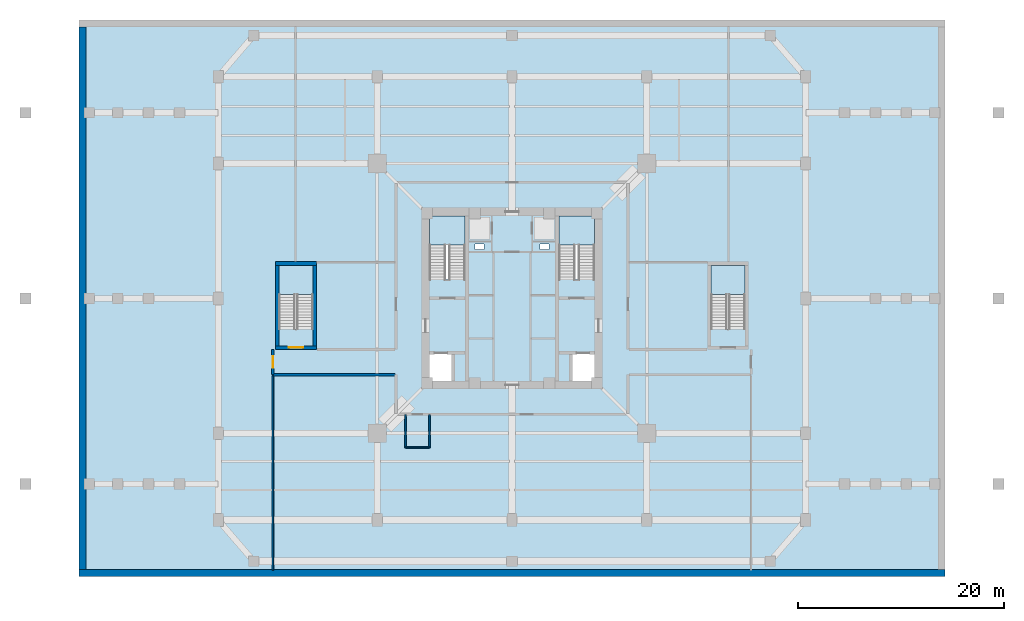
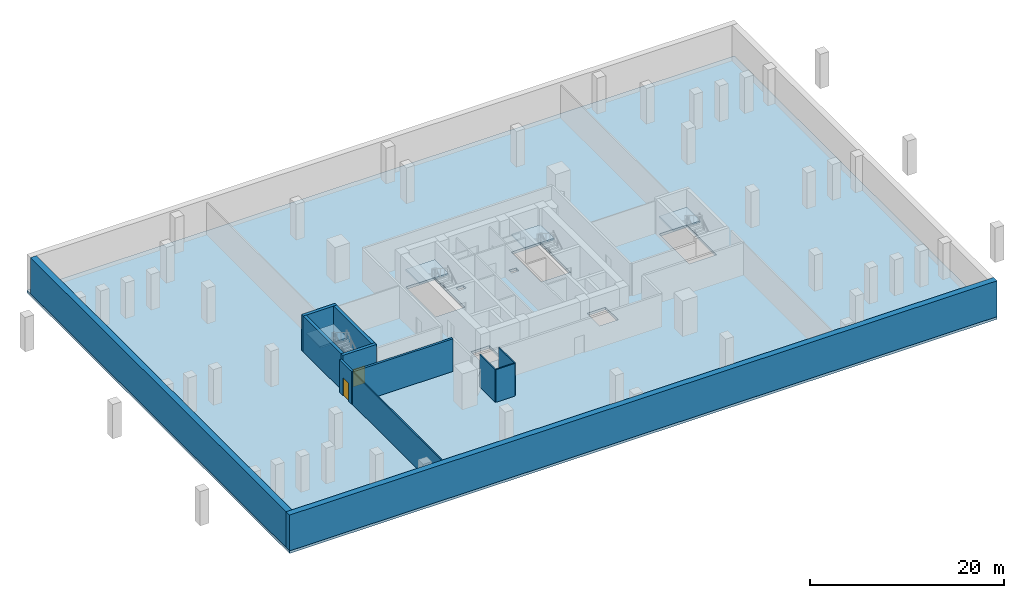
# One storey, part 2 of 9: 12 walls, 5 slabs, 2 doors, 2 openings, 4 elements without a shape of their own.
"""IFC4 building model written with IfcOpenShell, lengths in metres."""

import ifcopenshell
import ifcopenshell.guid

model = None  # the IFC model being written
_history = None  # IfcOwnerHistory: only IFC2X3 demands one
_inside = {}  # id of a spatial element -> (the spatial element, [elements in it])
_under = {}  # id of a project, library or spatial element -> (it, [spatial elements below it])
_declared = {}  # id of a project -> (the project, [libraries it declares])
_typed = {}  # id of a type object -> (the type object, [elements of that type])
_made_of = {}  # id of a material, layer set ... -> (it, [elements and type objects made of it])


def new_model(schema):
    """Start an empty IFC model of exactly this schema.

    Asked for "IFC4X3", IfcOpenShell would pick the latest addendum, in which some entities
    have other attributes; the version numbers below select the first issue.
    IFC2X3 requires an IfcOwnerHistory on every rooted entity: one is made here for all.
    """
    global model, _history
    if schema == "IFC4X3":
        model = ifcopenshell.file(schema_version=(4, 3, 0, 0))
    else:
        model = ifcopenshell.file(schema=schema)
    _inside.clear()
    _under.clear()
    _declared.clear()
    _typed.clear()
    _made_of.clear()
    _history = None
    if model.schema == "IFC2X3":
        org = make("IfcOrganization", Name="unknown")
        user = make(
            "IfcPersonAndOrganization",
            ThePerson=make("IfcPerson", FamilyName="unknown"),
            TheOrganization=org,
        )
        app = make(
            "IfcApplication",
            ApplicationDeveloper=org,
            Version="unknown",
            ApplicationFullName="unknown",
            ApplicationIdentifier="unknown",
        )
        _history = make(
            "IfcOwnerHistory",
            OwningUser=user,
            OwningApplication=app,
            ChangeAction="ADDED",
            CreationDate=0,
        )
    return model


def make(cls, **values):
    """One entity of the class cls with the attributes given. An attribute that is None is left unset."""
    return model.create_entity(
        cls, **{name: value for name, value in values.items() if value is not None}
    )


def rooted(cls, **values):
    """An entity with a GlobalId (a new one), such as an element, a storey or a relation."""
    return make(cls, GlobalId=ifcopenshell.guid.new(), OwnerHistory=_history, **values)


def si_unit(unit_type, name, prefix=None):
    """IfcSIUnit, for example si_unit("LENGTHUNIT", "METRE", prefix="MILLI")."""
    return make("IfcSIUnit", UnitType=unit_type, Prefix=prefix, Name=name)


def assignment(units):
    """IfcUnitAssignment: the units of a project."""
    return None if units is None else make("IfcUnitAssignment", Units=units)


def point(xyz):
    """IfcCartesianPoint."""
    return None if xyz is None else make("IfcCartesianPoint", Coordinates=xyz)


def direction(xyz):
    """IfcDirection."""
    return None if xyz is None else make("IfcDirection", DirectionRatios=xyz)


def frame(location, z_axis=None, x_axis=None):
    """IfcAxis2Placement3D, a coordinate frame: its origin and axes. An axis left out is left unset."""
    return make(
        "IfcAxis2Placement3D",
        Location=point(location),
        Axis=direction(z_axis),
        RefDirection=direction(x_axis),
    )


def frame_2d(location, x_axis=None):
    """IfcAxis2Placement2D, a coordinate frame in the plane: its origin and x axis."""
    return make(
        "IfcAxis2Placement2D", Location=point(location), RefDirection=direction(x_axis)
    )


def origin():
    """The frame at (0, 0, 0) with its axes left unset."""
    return frame((0.0, 0.0, 0.0))


def place(relative_to, where):
    """IfcLocalPlacement: puts the frame where relative to a parent placement (None: the world)."""
    return make(
        "IfcLocalPlacement", PlacementRelTo=relative_to, RelativePlacement=where
    )


def context(
    kind, dimensions, precision=None, world=None, true_north=None, identifier=None
):
    """IfcGeometricRepresentationContext, for example the 3D "Model" context."""
    return make(
        "IfcGeometricRepresentationContext",
        ContextIdentifier=identifier,
        ContextType=kind,
        CoordinateSpaceDimension=dimensions,
        Precision=precision,
        WorldCoordinateSystem=world,
        TrueNorth=true_north,
    )


def subcontext(parent, identifier, kind, view, scale=None):
    """IfcGeometricRepresentationSubContext, for example "Body" below "Model"."""
    return make(
        "IfcGeometricRepresentationSubContext",
        ContextIdentifier=identifier,
        ContextType=kind,
        ParentContext=parent,
        TargetScale=scale,
        TargetView=view,
    )


def project(units=None, contexts=None):
    """IfcProject with its units and contexts."""
    return rooted(
        "IfcProject",
        Name="project",
        RepresentationContexts=contexts,
        UnitsInContext=assignment(units),
    )


def spatial(cls, under=None, at=None, **own):
    """A site, building, storey or space (cls), placed at a placement, below another one or the project."""
    s = rooted(cls, ObjectPlacement=at, **own)
    if under is not None:
        _under.setdefault(under.id(), (under, []))[1].append(s)
    return s


def polyline(points):
    """IfcPolyline through the points."""
    return make("IfcPolyline", Points=[point(p) for p in points])


def profile(cls, at=None, kind="AREA", **sizes):
    """A parametric profile (cls). Its sizes go by their IFC names, for example OverallWidth=200.0."""
    return make(cls, ProfileType=kind, Position=at, **sizes)


def rectangle(**sizes):
    """IfcRectangleProfileDef."""
    return profile("IfcRectangleProfileDef", **sizes)


def outline(outer, holes=None, kind="AREA"):
    """IfcArbitraryClosedProfileDef: a profile drawn as a closed curve; with holes, ...WithVoids."""
    if holes is None:
        return make("IfcArbitraryClosedProfileDef", ProfileType=kind, OuterCurve=outer)
    return make(
        "IfcArbitraryProfileDefWithVoids",
        ProfileType=kind,
        OuterCurve=outer,
        InnerCurves=holes,
    )


def extrude(swept, where, along, depth):
    """IfcExtrudedAreaSolid: the profile swept, set in the frame where, extruded along a direction by depth."""
    return make(
        "IfcExtrudedAreaSolid",
        SweptArea=swept,
        Position=where,
        ExtrudedDirection=direction(along),
        Depth=depth,
    )


def shape(context_of_items, identifier, shape_type, items):
    """IfcShapeRepresentation: the items that make up one representation, for example the "Body"."""
    return make(
        "IfcShapeRepresentation",
        ContextOfItems=context_of_items,
        RepresentationIdentifier=identifier,
        RepresentationType=shape_type,
        Items=items,
    )


def source(mapping_origin, context_of_items, identifier, shape_type, items):
    """IfcRepresentationMap: a shape defined once, which mapped items show again and again."""
    return make(
        "IfcRepresentationMap",
        MappingOrigin=mapping_origin,
        MappedRepresentation=shape(context_of_items, identifier, shape_type, items),
    )


def transform(
    local_origin,
    x_axis=None,
    y_axis=None,
    z_axis=None,
    scale=None,
    scale2=None,
    scale3=None,
    uniform=True,
):
    """IfcCartesianTransformationOperator3D, or its non-uniform kind. x_axis, y_axis, z_axis: its Axis1, 2, 3."""
    if uniform:
        return make(
            "IfcCartesianTransformationOperator3D",
            Axis1=direction(x_axis),
            Axis2=direction(y_axis),
            LocalOrigin=point(local_origin),
            Scale=scale,
            Axis3=direction(z_axis),
        )
    return make(
        "IfcCartesianTransformationOperator3DnonUniform",
        Axis1=direction(x_axis),
        Axis2=direction(y_axis),
        LocalOrigin=point(local_origin),
        Scale=scale,
        Axis3=direction(z_axis),
        Scale2=scale2,
        Scale3=scale3,
    )


def mapped(mapping_source, mapping_target):
    """IfcMappedItem: shows the shape of a source again, moved by a transform."""
    return make(
        "IfcMappedItem", MappingSource=mapping_source, MappingTarget=mapping_target
    )


def material(Name=None, Category=None):
    """IfcMaterial."""
    return make("IfcMaterial", Name=Name, Category=Category)


def layer(
    of_material, thickness, ventilated=None, Name=None, Category=None, Priority=None
):
    """IfcMaterialLayer: one layer of a wall or slab, of a material (None: an air gap)."""
    return make(
        "IfcMaterialLayer",
        Material=of_material,
        LayerThickness=thickness,
        IsVentilated=ventilated,
        Name=Name,
        Category=Category,
        Priority=Priority,
    )


def layer_set(layers, Name=None):
    """IfcMaterialLayerSet."""
    return make("IfcMaterialLayerSet", MaterialLayers=layers, LayerSetName=Name)


def made_of(thing, what):
    """Note that an element or type object is made of a material, layer set ...; save() writes the relation."""
    if what is not None:
        _made_of.setdefault(what.id(), (what, []))[1].append(thing)
    return thing


def type_object(cls, material=None, **own):
    """A type object (cls), such as IfcWallType, which elements share."""
    return made_of(rooted(cls, **own), material)


def element(
    cls,
    number,
    at=None,
    inside=None,
    cuts=None,
    type_object=None,
    material=None,
    context=None,
    identifier="Body",
    shape_type=None,
    held_by="IfcProductDefinitionShape",
    body=None,
    shapes=None,
    **own,
):
    """One element of the class cls, such as IfcWall. Its Tag is "e" and its number.

    at: its placement. inside: the storey or other place that contains it. cuts: it is an
    opening in that element (IfcRelVoidsElement). A single representation is given by context,
    identifier, shape_type and body (its items); several are given by shapes. held_by: the class
    of the entity that holds the representations. save() writes the other relations.
    """
    e = rooted(cls, Tag="e%d" % number, ObjectPlacement=at, **own)
    if body is not None:
        shapes = [shape(context, identifier, shape_type, body)]
    if shapes is not None:
        e.Representation = make(held_by, Representations=shapes)
    if inside is not None:
        _inside.setdefault(inside.id(), (inside, []))[1].append(e)
    if cuts is not None:
        rooted(
            "IfcRelVoidsElement", RelatingBuildingElement=cuts, RelatedOpeningElement=e
        )
    if type_object is not None:
        _typed.setdefault(type_object.id(), (type_object, []))[1].append(e)
    return made_of(e, material)


def fill(opening, filler):
    """IfcRelFillsElement: the door or window that sits in an opening."""
    return rooted(
        "IfcRelFillsElement",
        RelatingOpeningElement=opening,
        RelatedBuildingElement=filler,
    )


def aggregate(whole, parts):
    """IfcRelAggregates: a whole, such as a stair, and the parts it consists of."""
    return rooted("IfcRelAggregates", RelatingObject=whole, RelatedObjects=parts)


def save(model, path):
    """Write the relations noted so far, then the file.

    IfcRelAggregates (storeys below a building ...), IfcRelContainedInSpatialStructure (elements
    in a storey), IfcRelDefinesByType, IfcRelAssociatesMaterial and IfcRelDeclares: one each for
    every whole, place, type object, material and project.
    """
    for whole, parts in _under.values():
        aggregate(whole, parts)
    for where, things in _inside.values():
        rooted(
            "IfcRelContainedInSpatialStructure",
            RelatedElements=things,
            RelatingStructure=where,
        )
    for kind, things in _typed.values():
        rooted("IfcRelDefinesByType", RelatedObjects=things, RelatingType=kind)
    for what, things in _made_of.values():
        rooted("IfcRelAssociatesMaterial", RelatedObjects=things, RelatingMaterial=what)
    for by, libraries in _declared.values():
        rooted("IfcRelDeclares", RelatingContext=by, RelatedDefinitions=libraries)
    model.write(path)


model = new_model("IFC4")

# Units and contexts
model_context = context("Model", 3, precision=1e-05, world=origin(), true_north=direction((0.0, 1.0)))
body_context = subcontext(model_context, "Body", "Model", "MODEL_VIEW")
ifc_project = project(units=[si_unit("LENGTHUNIT", "METRE"), si_unit("AREAUNIT", "SQUARE_METRE"), si_unit("VOLUMEUNIT", "CUBIC_METRE"), si_unit("PLANEANGLEUNIT", "RADIAN"), si_unit("MASSUNIT", "GRAM", prefix="KILO"), si_unit("THERMODYNAMICTEMPERATUREUNIT", "KELVIN")], contexts=[model_context])

# Site, building, storey
site_placement = place(None, origin())
site = spatial("IfcSite", under=ifc_project, at=site_placement, CompositionType="ELEMENT")
building_placement = place(site_placement, origin())
building = spatial("IfcBuilding", under=site, at=building_placement, Name="Kosmvard Interchange Tower", CompositionType="ELEMENT")
storey_placement = place(building_placement, frame((0.0, 0.0, -4.5)))
storey = spatial("IfcBuildingStorey", under=building, at=storey_placement, Name="B01", CompositionType="ELEMENT", Elevation=-4.5)

# Slab
ifc_material_1 = material(Name="Concrete C50/60", Category="concrete")
ifc_layer_1 = layer(ifc_material_1, 0.320068359375, Name="Concrete C50/60")
ifc_layer_set_1 = layer_set([ifc_layer_1], Name="Concrete C50/60")
slab_type_1 = type_object("IfcSlabType", Name="Basement Mezzanine Floor Slab 320 C50/60", PredefinedType="FLOOR", material=ifc_layer_set_1)
slab_1_placement = place(storey_placement, frame((0.0, 0.0, -0.320068359375)))
element("IfcSlab", 1, at=slab_1_placement, inside=storey, type_object=slab_type_1, Name="B01 Structural Floor Slab", PredefinedType="FLOOR", context=body_context, shape_type="SweptSolid", body=[
    extrude(outline(polyline([(-42.0, -27.0), (42.0, -27.0), (42.0, 27.0), (-42.0, 27.0), (-42.0, -27.0)]), holes=[polyline([(-8.0, 1.8349609375), (-4.5400390625, 1.8349609375), (-4.5400390625, 8.0), (-8.0, 8.0), (-8.0, 1.8349609375)]), polyline([(4.5400390625, 1.8349609375), (8.0, 1.8349609375), (8.0, 8.0), (4.5400390625, 8.0), (4.5400390625, 1.8349609375)]), polyline([(-22.580078125, -2.965087890625), (-19.320068359375, -2.965087890625), (-19.320068359375, 3.199951171875), (-22.580078125, 3.199951171875), (-22.580078125, -2.965087890625)]), polyline([(19.320068359375, -2.965087890625), (22.580078125, -2.965087890625), (22.580078125, 3.199951171875), (19.320068359375, 3.199951171875), (19.320068359375, -2.965087890625)]), polyline([(-8.0, -8.0), (-5.800048828125, -8.0), (-5.800048828125, -5.39990234375), (-8.0, -5.39990234375), (-8.0, -8.0)]), polyline([(5.800048828125, -8.0), (8.0, -8.0), (8.0, -5.39990234375), (5.800048828125, -5.39990234375), (5.800048828125, -8.0)]), polyline([(-3.56494140625, 4.739990234375), (-2.715087890625, 4.739990234375), (-2.715087890625, 5.2900390625), (-3.56494140625, 5.2900390625), (-3.56494140625, 4.739990234375)]), polyline([(2.715087890625, 4.739990234375), (3.56494140625, 4.739990234375), (3.56494140625, 5.2900390625), (2.715087890625, 5.2900390625), (2.715087890625, 4.739990234375)])]), origin(), (0.0, 0.0, 1.0), 0.320068359375),
])

# Stair, slab
stair_type = type_object("IfcStairType", Name="Dog-Leg Core Exit Stair H4500 C50/60", PredefinedType="HALF_TURN_STAIR", material=ifc_material_1)
stair_1_placement = place(storey_placement, origin())
stair_1 = element("IfcStair", 2, at=stair_1_placement, inside=storey, type_object=stair_type, Name="B01 Protected Exit Stair ST-1", PredefinedType="HALF_TURN_STAIR")
ifc_layer_2 = layer(ifc_material_1, 0.199951171875, Name="Concrete C50/60")
ifc_layer_set_2 = layer_set([ifc_layer_2], Name="Concrete C50/60")
slab_type_2 = type_object("IfcSlabType", Name="Stair Half-Landing Slab 200 C50/60", PredefinedType="LANDING", material=ifc_layer_set_2)
slab_2_placement = place(storey_placement, frame((0.0, 0.0, 2.050048828125)))
slab_2 = element("IfcSlab", 3, at=slab_2_placement, type_object=slab_type_2, Name="ST-1 landing 1", PredefinedType="LANDING", context=body_context, shape_type="SweptSolid", body=[
    extrude(outline(polyline([(-4.5400390625, 5.159912109375), (-4.5400390625, 8.0), (-8.0, 8.0), (-8.0, 5.159912109375), (-4.5400390625, 5.159912109375)])), origin(), (0.0, 0.0, 1.0), 0.199951171875),
])
aggregate(stair_1, [slab_2])

stair_2_placement = place(storey_placement, origin())
stair_2 = element("IfcStair", 4, at=stair_2_placement, inside=storey, type_object=stair_type, Name="B01 Protected Exit Stair ST-2", PredefinedType="HALF_TURN_STAIR")
slab_3_placement = place(storey_placement, frame((0.0, 0.0, 2.050048828125)))
slab_3 = element("IfcSlab", 5, at=slab_3_placement, type_object=slab_type_2, Name="ST-2 landing 1", PredefinedType="LANDING", context=body_context, shape_type="SweptSolid", body=[
    extrude(outline(polyline([(8.0, 5.159912109375), (8.0, 8.0), (4.5400390625, 8.0), (4.5400390625, 5.159912109375), (8.0, 5.159912109375)])), origin(), (0.0, 0.0, 1.0), 0.199951171875),
])
aggregate(stair_2, [slab_3])

stair_3_placement = place(storey_placement, origin())
stair_3 = element("IfcStair", 6, at=stair_3_placement, inside=storey, type_object=stair_type, Name="B01 Podium Concourse Stair ST-3", PredefinedType="HALF_TURN_STAIR")
slab_4_placement = place(storey_placement, frame((0.0, 0.0, 2.050048828125)))
slab_4 = element("IfcSlab", 7, at=slab_4_placement, type_object=slab_type_2, Name="ST-3 landing 1", PredefinedType="LANDING", context=body_context, shape_type="SweptSolid", body=[
    extrude(outline(polyline([(-19.320068359375, 0.360107421875), (-19.320068359375, 3.199951171875), (-22.580078125, 3.199951171875), (-22.580078125, 0.360107421875), (-19.320068359375, 0.360107421875)])), origin(), (0.0, 0.0, 1.0), 0.199951171875),
])
aggregate(stair_3, [slab_4])

stair_4_placement = place(storey_placement, origin())
stair_4 = element("IfcStair", 8, at=stair_4_placement, inside=storey, type_object=stair_type, Name="B01 Podium Concourse Stair ST-4", PredefinedType="HALF_TURN_STAIR")
slab_5_placement = place(storey_placement, frame((0.0, 0.0, 2.050048828125)))
slab_5 = element("IfcSlab", 9, at=slab_5_placement, type_object=slab_type_2, Name="ST-4 landing 1", PredefinedType="LANDING", context=body_context, shape_type="SweptSolid", body=[
    extrude(outline(polyline([(22.580078125, 0.360107421875), (22.580078125, 3.199951171875), (19.320068359375, 3.199951171875), (19.320068359375, 0.360107421875), (22.580078125, 0.360107421875)])), origin(), (0.0, 0.0, 1.0), 0.199951171875),
])
aggregate(stair_4, [slab_5])

# Walls
ifc_material_2 = material(Name="Acoustic gypsum partition system")
ifc_layer_3 = layer(ifc_material_2, 0.14990234375, Name="Acoustic gypsum partition system")
ifc_layer_set_3 = layer_set([ifc_layer_3], Name="Acoustic gypsum partition system")
wall_type_1 = type_object("IfcWallType", Name="Acoustic Suite & Meeting Partition 150", PredefinedType="PARTITIONING", material=ifc_layer_set_3)
wall_1_placement = place(storey_placement, frame((-23.199951171875, -26.364990234375, 0.0), z_axis=(0.0, 0.0, 1.0), x_axis=(0.0, 1.0, 0.0)))
element("IfcWall", 10, at=wall_1_placement, inside=storey, type_object=wall_type_1, Name="B01 Room Partition 01.1", PredefinedType="PARTITIONING", context=body_context, shape_type="SweptSolid", body=[
    extrude(rectangle(XDim=18.8349609375, YDim=0.14990234375, at=frame_2d((9.41748046875, 0.0))), origin(), (0.0, 0.0, 1.0), 4.10009765625),
])
ifc_layer_4 = layer(ifc_material_1, 0.699951171875, Name="Concrete C50/60")
ifc_layer_set_4 = layer_set([ifc_layer_4], Name="Concrete C50/60")
wall_type_2 = type_object("IfcWallType", Name="Basement Perimeter Retaining Wall 700 C50/60", PredefinedType="USERDEFINED", material=ifc_layer_set_4)
wall_2_placement = place(storey_placement, frame((-42.0, -26.64990234375, 0.0), z_axis=(0.0, 0.0, 1.0), x_axis=(1.0, 0.0, 0.0)))
element("IfcWall", 11, at=wall_2_placement, inside=storey, type_object=wall_type_2, Name="B01 Basement Retaining Wall RW-S", ObjectType="RETAINING", PredefinedType="USERDEFINED", context=body_context, shape_type="SweptSolid", body=[
    extrude(rectangle(XDim=84.0, YDim=0.699951171875, at=frame_2d((42.0, 0.0))), origin(), (0.0, 0.0, 1.0), 4.5),
])
wall_3_placement = place(storey_placement, frame((-41.64990234375, -26.300048828125, 0.0), z_axis=(0.0, 0.0, 1.0), x_axis=(0.0, 1.0, 0.0)))
element("IfcWall", 12, at=wall_3_placement, inside=storey, type_object=wall_type_2, Name="B01 Basement Retaining Wall RW-W", ObjectType="RETAINING", PredefinedType="USERDEFINED", context=body_context, shape_type="SweptSolid", body=[
    extrude(rectangle(XDim=52.60009765625, YDim=0.699951171875, at=frame_2d((26.300048828125, 0.0))), origin(), (0.0, 0.0, 1.0), 4.5),
])
ifc_material_3 = material(Name="Concrete blockwork masonry", Category="masonry")
ifc_layer_5 = layer(ifc_material_3, 0.25, Name="Concrete blockwork masonry")
ifc_layer_set_5 = layer_set([ifc_layer_5], Name="Concrete blockwork masonry")
wall_type_3 = type_object("IfcWallType", Name="Exit Passage & Firefighting Lobby Wall 250", PredefinedType="PARTITIONING", material=ifc_layer_set_5)
wall_4_placement = place(storey_placement, frame((-23.199951171875, -7.39990234375, 0.0), z_axis=(0.0, 0.0, 1.0), x_axis=(1.0, 0.0, 0.0)))
element("IfcWall", 13, at=wall_4_placement, inside=storey, type_object=wall_type_3, Name="B01 Corridor Wall SWS", PredefinedType="PARTITIONING", context=body_context, shape_type="SweptSolid", body=[
    extrude(rectangle(XDim=11.849853515625, YDim=0.25, at=frame_2d((5.9248046875, 0.0))), origin(), (0.0, 0.0, 1.0), 4.10009765625),
])

# Wall, opening, door
wall_5_placement = place(storey_placement, frame((-23.199951171875, -7.39990234375, 0.0), z_axis=(0.0, 0.0, 1.0), x_axis=(0.0, 1.0, 0.0)))
wall_5 = element("IfcWall", 14, at=wall_5_placement, inside=storey, type_object=wall_type_3, Name="B01 Corridor Wall SWE", PredefinedType="PARTITIONING", context=body_context, shape_type="SweptSolid", body=[
    extrude(rectangle(XDim=2.43994140625, YDim=0.25, at=frame_2d((1.219970703125, 0.0))), origin(), (0.0, 0.0, 1.0), 4.10009765625),
])
opening_1_placement = place(wall_5_placement, frame((0.64501953125, 0.0, 0.0)))
opening_1 = element("IfcOpeningElement", 15, at=opening_1_placement, cuts=wall_5, Name="Opening B01-D04", PredefinedType="OPENING", context=body_context, shape_type="SweptSolid", body=[
    extrude(rectangle(XDim=1.14990234375, YDim=2.25, at=frame_2d((0.574951171875, 1.125))), frame((0.0, 0.135009765625, 0.0), z_axis=(0.0, -1.0, 0.0), x_axis=(1.0, 0.0, 0.0)), (0.0, 0.0, 1.0), 0.27001953125),
])
ifc_material_4 = material(Name="Painted fire-rated steel leaf", Category="steel")
door_type_1 = type_object("IfcDoorType", Name="Plant & Riser Fire Door 1150x2250 EI60", OperationType="NOTDEFINED", PredefinedType="DOOR", material=ifc_material_4)
shared_shape_1 = source(origin(), body_context, "Body", "SweptSolid", [
    extrude(rectangle(XDim=1.14990234375, YDim=2.25, at=frame_2d((0.574951171875, 1.125))), frame((0.0, 0.02490234375, 0.0), z_axis=(0.0, -1.0, 0.0), x_axis=(1.0, 0.0, 0.0)), (0.0, 0.0, 1.0), 0.050048828125),
])
door_1_placement = place(opening_1_placement, origin())
door_1 = element("IfcDoor", 16, at=door_1_placement, inside=storey, type_object=door_type_1, Name="B01 Secure Bicycle Hub Door", OperationType="SINGLE_SWING_RIGHT", OverallHeight=2.25, OverallWidth=1.14990234375, PredefinedType="DOOR", context=body_context, shape_type="MappedRepresentation", body=[
    mapped(shared_shape_1, transform((0.0, 0.0, 0.0), scale=1.0)),
])
fill(opening_1, door_1)

ifc_material_5 = material(Name="Concrete C60/75", Category="concrete")
ifc_layer_6 = layer(ifc_material_5, 0.360107421875, Name="Concrete C60/75")
ifc_layer_set_6 = layer_set([ifc_layer_6], Name="Concrete C60/75")
wall_type_4 = type_object("IfcWallType", Name="Stair & Lift Shaft Shear Wall 360 C60/75", PredefinedType="SHEAR", material=ifc_layer_set_6)
wall_6_placement = place(storey_placement, frame((-22.93994140625, -4.780029296875, 0.0), z_axis=(0.0, 0.0, 1.0), x_axis=(1.0, 0.0, 0.0)))
wall_6 = element("IfcWall", 17, at=wall_6_placement, inside=storey, type_object=wall_type_4, Name="B01 Podium Stair Shear Wall ST3S", PredefinedType="SHEAR", context=body_context, shape_type="SweptSolid", body=[
    extrude(rectangle(XDim=3.97998046875, YDim=0.360107421875, at=frame_2d((1.989990234375, 0.0))), origin(), (0.0, 0.0, 1.0), 4.5),
])
opening_2_placement = place(wall_6_placement, frame((1.2900390625, 0.0, 0.0)))
opening_2 = element("IfcOpeningElement", 18, at=opening_2_placement, cuts=wall_6, Name="Opening B01-SD3", PredefinedType="OPENING", context=body_context, shape_type="SweptSolid", body=[
    extrude(rectangle(XDim=1.39990234375, YDim=2.199951171875, at=frame_2d((0.699951171875, 1.10009765625))), frame((0.0, 0.18994140625, 0.0), z_axis=(0.0, -1.0, 0.0), x_axis=(1.0, 0.0, 0.0)), (0.0, 0.0, 1.0), 0.380126953125),
])
door_type_2 = type_object("IfcDoorType", Name="Protected Stair Door 1400x2200 FD60S", OperationType="NOTDEFINED", PredefinedType="DOOR", material=ifc_material_4)
shared_shape_2 = source(origin(), body_context, "Body", "SweptSolid", [
    extrude(rectangle(XDim=1.39990234375, YDim=2.199951171875, at=frame_2d((0.699951171875, 1.10009765625))), frame((0.0, 0.02490234375, 0.0), z_axis=(0.0, -1.0, 0.0), x_axis=(1.0, 0.0, 0.0)), (0.0, 0.0, 1.0), 0.050048828125),
])
door_2_placement = place(opening_2_placement, origin())
door_2 = element("IfcDoor", 19, at=door_2_placement, inside=storey, type_object=door_type_2, Name="B01 Podium Stair ST3 Door", OperationType="SINGLE_SWING_LEFT", OverallHeight=2.199951171875, OverallWidth=1.39990234375, PredefinedType="DOOR", context=body_context, shape_type="MappedRepresentation", body=[
    mapped(shared_shape_2, transform((0.0, 0.0, 0.0), scale=1.0)),
])
fill(opening_2, door_2)

# Walls
wall_7_placement = place(storey_placement, frame((-22.93994140625, 3.3798828125, 0.0), z_axis=(0.0, 0.0, 1.0), x_axis=(1.0, 0.0, 0.0)))
element("IfcWall", 20, at=wall_7_placement, inside=storey, type_object=wall_type_4, Name="B01 Podium Stair Shear Wall ST3N", PredefinedType="SHEAR", context=body_context, shape_type="SweptSolid", body=[
    extrude(rectangle(XDim=3.97998046875, YDim=0.360107421875, at=frame_2d((1.989990234375, 0.0))), origin(), (0.0, 0.0, 1.0), 4.5),
])
for number, where, z_axis, x_axis, name in (
    (21, (-22.760009765625, -4.60009765625, 0.0), (0.0, 0.0, 1.0), (0.0, 1.0, 0.0), "B01 Podium Stair Shear Wall ST3W"),
    (22, (-19.139892578125, -4.60009765625, 0.0), (0.0, 0.0, 1.0), (0.0, 1.0, 0.0), "B01 Podium Stair Shear Wall ST3E"),
):
    element("IfcWall", number, at=place(storey_placement, frame(where, z_axis=z_axis, x_axis=x_axis)), inside=storey, type_object=wall_type_4, Name=name, PredefinedType="SHEAR", context=body_context, shape_type="SweptSolid", body=[
        extrude(rectangle(XDim=7.800048828125, YDim=0.360107421875, at=frame_2d((3.89990234375, 0.0))), origin(), (0.0, 0.0, 1.0), 4.5),
    ])
ifc_material_6 = material(Name="Moisture-resistant gypsum partition")
ifc_layer_7 = layer(ifc_material_6, 0.135009765625, Name="Moisture-resistant gypsum partition")
ifc_layer_set_7 = layer_set([ifc_layer_7], Name="Moisture-resistant gypsum partition")
wall_type_5 = type_object("IfcWallType", Name="Wet Room Moisture-Resistant Partition 135", PredefinedType="PARTITIONING", material=ifc_layer_set_7)
wall_8_placement = place(storey_placement, frame((-10.320068359375, -14.469970703125, 0.0), z_axis=(0.0, 0.0, 1.0), x_axis=(1.0, 0.0, 0.0)))
element("IfcWall", 23, at=wall_8_placement, inside=storey, type_object=wall_type_5, Name="B01 Washroom Partition AWC1-S", PredefinedType="PARTITIONING", context=body_context, shape_type="SweptSolid", body=[
    extrude(rectangle(XDim=2.300048828125, YDim=0.135009765625, at=frame_2d((1.14990234375, 0.0))), origin(), (0.0, 0.0, 1.0), 4.10009765625),
])
for number, where, z_axis, x_axis, name in (
    (24, (-8.02001953125, -14.469970703125, 0.0), (0.0, 0.0, 1.0), (0.0, 1.0, 0.0), "B01 Washroom Partition AWC1-E"),
    (25, (-10.320068359375, -14.469970703125, 0.0), (0.0, 0.0, 1.0), (0.0, 1.0, 0.0), "B01 Washroom Partition AWC1-W"),
):
    element("IfcWall", number, at=place(storey_placement, frame(where, z_axis=z_axis, x_axis=x_axis)), inside=storey, type_object=wall_type_5, Name=name, PredefinedType="PARTITIONING", context=body_context, shape_type="SweptSolid", body=[
        extrude(rectangle(XDim=3.199951171875, YDim=0.135009765625, at=frame_2d((1.60009765625, 0.0))), origin(), (0.0, 0.0, 1.0), 4.10009765625),
    ])

save(model, "model.ifc")
